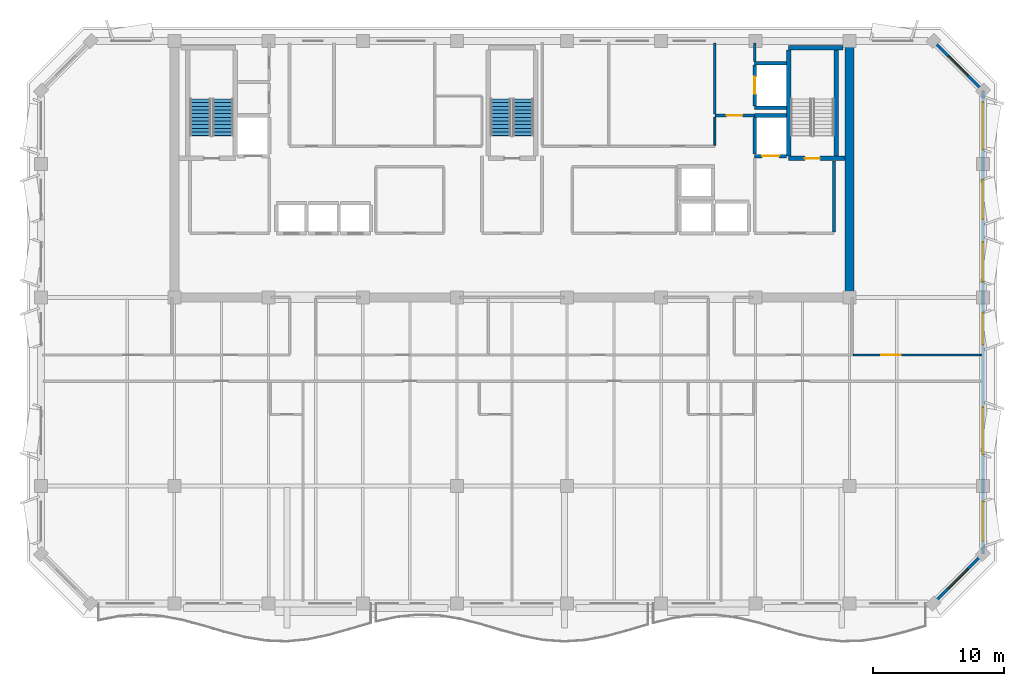
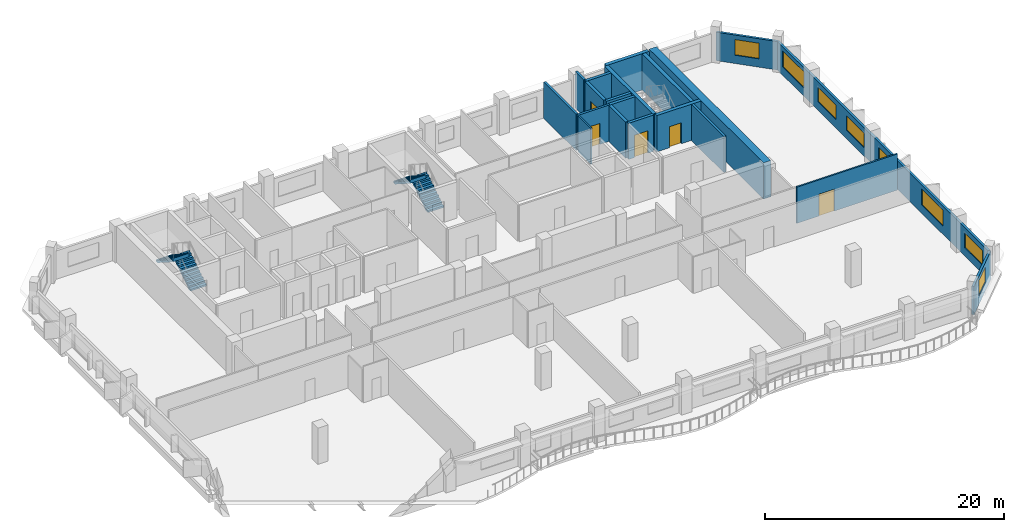
# One storey, part 7 of 11: 20 walls, 8 windows, 5 doors, 4 stair flights, 13 openings, 2 elements without a shape of their own.
"""IFC4 building model written with IfcOpenShell, lengths in metres."""

from ifc_helpers import new_model, si_unit, direction, frame, frame_2d, origin, place, context, subcontext, project, spatial, polyline, rectangle, outline, extrude, material, layer, layer_set, type_object, element, fill, aggregate, save


model = new_model("IFC4")

# Units and contexts
model_context = context("Model", 3, precision=1e-05, world=origin(), true_north=direction((0.0, 1.0)))
body_context = subcontext(model_context, "Body", "Model", "MODEL_VIEW")
ifc_project = project(units=[si_unit("LENGTHUNIT", "METRE"), si_unit("AREAUNIT", "SQUARE_METRE"), si_unit("VOLUMEUNIT", "CUBIC_METRE"), si_unit("PLANEANGLEUNIT", "RADIAN"), si_unit("MASSUNIT", "GRAM", prefix="KILO")], contexts=[model_context])

# Site, building, storey
site_placement = place(None, origin())
site = spatial("IfcSite", under=ifc_project, at=site_placement, CompositionType="ELEMENT")
building_placement = place(site_placement, origin())
building = spatial("IfcBuilding", under=site, at=building_placement, Name="Kaelvorn Grand Hotel", CompositionType="ELEMENT")
storey_placement = place(building_placement, frame((0.0, 0.0, 268.64990234375)))
storey = spatial("IfcBuildingStorey", under=building, at=storey_placement, Name="L66", CompositionType="ELEMENT", Elevation=268.64990234375)

# Wall
ifc_material_1 = material(Name="Concrete C50/60", Category="concrete")
ifc_layer_1 = layer(ifc_material_1, 0.699951171875)
ifc_layer_set_1 = layer_set([ifc_layer_1], Name="Concrete C50/60")
wall_type_1 = type_object("IfcWallType", Name="WL-CORE-700-C50", PredefinedType="SHEAR", material=ifc_layer_set_1)
wall_1_placement = place(storey_placement, frame((67.800048828125, 29.39990234375, 0.0), z_axis=(0.0, 0.0, 1.0), x_axis=(0.0, 1.0, 0.0)))
element("IfcWall", 1, at=wall_1_placement, inside=storey, type_object=wall_type_1, Name="L66 Rear-Core East Shear Wall", PredefinedType="SHEAR", context=body_context, shape_type="SweptSolid", body=[
    extrude(rectangle(XDim=19.2001953125, YDim=0.699951171875, at=frame_2d((9.60009765625, 0.0))), origin(), (0.0, 0.0, 1.0), 3.710205078125),
])

# Wall, opening, window
ifc_material_2 = material(Name="Concrete C40/50", Category="concrete")
ifc_layer_2 = layer(ifc_material_2, 0.219970703125)
ifc_layer_set_2 = layer_set([ifc_layer_2], Name="Concrete C40/50")
wall_type_2 = type_object("IfcWallType", Name="WL-EXT-220-C40", PredefinedType="SOLIDWALL", material=ifc_layer_set_2)
wall_2_placement = place(storey_placement, frame((74.199951171875, 6.0, 0.0), z_axis=(0.0, 0.0, 1.0), x_axis=(0.707106781187, 0.707106781187, 0.0)))
wall_2 = element("IfcWall", 2, at=wall_2_placement, inside=storey, type_object=wall_type_2, Name="L66 Exterior Architectural Concrete Wall 02", PredefinedType="SOLIDWALL", context=body_context, shape_type="SweptSolid", body=[
    extrude(rectangle(XDim=5.3740234375, YDim=0.219970703125, at=frame_2d((2.68701171875, 0.0))), origin(), (0.0, 0.0, 1.0), 2.91015625),
])
opening_1_placement = place(wall_2_placement, frame((1.636962890625, 0.0, 0.85009765625)))
opening_1 = element("IfcOpeningElement", 3, at=opening_1_placement, cuts=wall_2, Name="Opening W7", PredefinedType="OPENING", context=body_context, shape_type="SweptSolid", body=[
    extrude(rectangle(XDim=2.10009765625, YDim=1.60009765625, at=frame_2d((1.050048828125, 0.800048828125))), frame((0.0, 0.1201171875, 0.0), z_axis=(0.0, -1.0, 0.0), x_axis=(1.0, 0.0, 0.0)), (0.0, 0.0, 1.0), 0.239990234375),
])
ifc_material_3 = material(Name="Laminated Low-E Glass", Category="glass")
window_type_1 = type_object("IfcWindowType", Name="WIN-CHM-2100x1600", PartitioningType="SINGLE_PANEL", PredefinedType="WINDOW", material=ifc_material_3)
window_1_placement = place(opening_1_placement, origin())
window_1 = element("IfcWindow", 4, at=window_1_placement, inside=storey, type_object=window_type_1, Name="L66 Chamfered 45-Degree Corner Window SE", OverallHeight=1.60009765625, OverallWidth=2.10009765625, PartitioningType="SINGLE_PANEL", PredefinedType="WINDOW", context=body_context, shape_type="SweptSolid", body=[
    extrude(rectangle(XDim=2.10009765625, YDim=1.60009765625, at=frame_2d((1.050048828125, 0.800048828125))), frame((0.0, 0.030029296875, 0.0), z_axis=(0.0, -1.0, 0.0), x_axis=(1.0, 0.0, 0.0)), (0.0, 0.0, 1.0), 0.06005859375),
])
fill(opening_1, window_1)

# Wall, openings, windows
wall_3_placement = place(storey_placement, frame((78.0, 9.800048828125, 0.0), z_axis=(0.0, 0.0, 1.0), x_axis=(0.0, 1.0, 0.0)))
wall_3 = element("IfcWall", 5, at=wall_3_placement, inside=storey, type_object=wall_type_2, Name="L66 Exterior Architectural Concrete Wall 03", PredefinedType="SOLIDWALL", context=body_context, shape_type="SweptSolid", body=[
    extrude(rectangle(XDim=35.39990234375, YDim=0.219970703125, at=frame_2d((17.699951171875, 0.0))), origin(), (0.0, 0.0, 1.0), 2.91015625),
])
opening_2_placement = place(wall_3_placement, frame((0.985107421875, 0.0, 0.85009765625)))
opening_2 = element("IfcOpeningElement", 6, at=opening_2_placement, cuts=wall_3, Name="Opening W5", PredefinedType="OPENING", context=body_context, shape_type="SweptSolid", body=[
    extrude(rectangle(XDim=3.0, YDim=1.5, at=frame_2d((1.5, 0.75))), frame((0.0, 0.1201171875, 0.0), z_axis=(0.0, -1.0, 0.0), x_axis=(1.0, 0.0, 0.0)), (0.0, 0.0, 1.0), 0.239990234375),
])
opening_3_placement = place(wall_3_placement, frame((7.60009765625, 0.0, 0.85009765625)))
opening_3 = element("IfcOpeningElement", 7, at=opening_3_placement, cuts=wall_3, Name="Opening W3", PredefinedType="OPENING", context=body_context, shape_type="SweptSolid", body=[
    extrude(rectangle(XDim=3.60009765625, YDim=1.64990234375, at=frame_2d((1.800048828125, 0.824951171875))), frame((0.0, 0.1201171875, 0.0), z_axis=(0.0, -1.0, 0.0), x_axis=(1.0, 0.0, 0.0)), (0.0, 0.0, 1.0), 0.239990234375),
])
opening_4_placement = place(wall_3_placement, frame((16.0, 0.0, 0.85009765625)))
opening_4 = element("IfcOpeningElement", 8, at=opening_4_placement, cuts=wall_3, Name="Opening W6", PredefinedType="OPENING", context=body_context, shape_type="SweptSolid", body=[
    extrude(rectangle(XDim=2.39990234375, YDim=1.5, at=frame_2d((1.199951171875, 0.75))), frame((0.0, 0.1201171875, 0.0), z_axis=(0.0, -1.0, 0.0), x_axis=(1.0, 0.0, 0.0)), (0.0, 0.0, 1.0), 0.239990234375),
])
opening_5_placement = place(wall_3_placement, frame((20.81494140625, 0.0, 0.85009765625)))
opening_5 = element("IfcOpeningElement", 9, at=opening_5_placement, cuts=wall_3, Name="Opening W5", PredefinedType="OPENING", context=body_context, shape_type="SweptSolid", body=[
    extrude(rectangle(XDim=3.0, YDim=1.5, at=frame_2d((1.5, 0.75))), frame((0.0, 0.1201171875, 0.0), z_axis=(0.0, -1.0, 0.0), x_axis=(1.0, 0.0, 0.0)), (0.0, 0.0, 1.0), 0.239990234375),
])
opening_6_placement = place(wall_3_placement, frame((25.5849609375, 0.0, 0.85009765625)))
opening_6 = element("IfcOpeningElement", 10, at=opening_6_placement, cuts=wall_3, Name="Opening W5", PredefinedType="OPENING", context=body_context, shape_type="SweptSolid", body=[
    extrude(rectangle(XDim=3.0, YDim=1.5, at=frame_2d((1.5, 0.75))), frame((0.0, 0.1201171875, 0.0), z_axis=(0.0, -1.0, 0.0), x_axis=(1.0, 0.0, 0.0)), (0.0, 0.0, 1.0), 0.239990234375),
])
opening_7_placement = place(wall_3_placement, frame((30.9150390625, 0.0, 0.85009765625)))
opening_7 = element("IfcOpeningElement", 11, at=opening_7_placement, cuts=wall_3, Name="Opening W3", PredefinedType="OPENING", context=body_context, shape_type="SweptSolid", body=[
    extrude(rectangle(XDim=3.60009765625, YDim=1.64990234375, at=frame_2d((1.800048828125, 0.824951171875))), frame((0.0, 0.1201171875, 0.0), z_axis=(0.0, -1.0, 0.0), x_axis=(1.0, 0.0, 0.0)), (0.0, 0.0, 1.0), 0.239990234375),
])
window_type_2 = type_object("IfcWindowType", Name="WIN-NTH-2400x1500", PartitioningType="SINGLE_PANEL", PredefinedType="WINDOW", material=ifc_material_3)
window_2_placement = place(opening_4_placement, origin())
window_2 = element("IfcWindow", 12, at=window_2_placement, inside=storey, type_object=window_type_2, Name="L66 E Wing Tilted-Frame Ribbon Window E03", OverallHeight=1.5, OverallWidth=2.39990234375, PartitioningType="SINGLE_PANEL", PredefinedType="WINDOW", context=body_context, shape_type="SweptSolid", body=[
    extrude(rectangle(XDim=2.39990234375, YDim=1.5, at=frame_2d((1.199951171875, 0.75))), frame((0.0, 0.030029296875, 0.0), z_axis=(0.0, -1.0, 0.0), x_axis=(1.0, 0.0, 0.0)), (0.0, 0.0, 1.0), 0.06005859375),
])
fill(opening_4, window_2)
window_type_3 = type_object("IfcWindowType", Name="WIN-NTH-3000x1500", PartitioningType="SINGLE_PANEL", PredefinedType="WINDOW", material=ifc_material_3)
window_3_placement = place(opening_2_placement, origin())
window_3 = element("IfcWindow", 13, at=window_3_placement, inside=storey, type_object=window_type_3, Name="L66 E Wing Tilted-Frame Ribbon Window E01", OverallHeight=1.5, OverallWidth=3.0, PartitioningType="SINGLE_PANEL", PredefinedType="WINDOW", context=body_context, shape_type="SweptSolid", body=[
    extrude(rectangle(XDim=3.0, YDim=1.5, at=frame_2d((1.5, 0.75))), frame((0.0, 0.030029296875, 0.0), z_axis=(0.0, -1.0, 0.0), x_axis=(1.0, 0.0, 0.0)), (0.0, 0.0, 1.0), 0.06005859375),
])
fill(opening_2, window_3)
window_4_placement = place(opening_5_placement, origin())
window_4 = element("IfcWindow", 14, at=window_4_placement, inside=storey, type_object=window_type_3, Name="L66 E Wing Tilted-Frame Ribbon Window E04", OverallHeight=1.5, OverallWidth=3.0, PartitioningType="SINGLE_PANEL", PredefinedType="WINDOW", context=body_context, shape_type="SweptSolid", body=[
    extrude(rectangle(XDim=3.0, YDim=1.5, at=frame_2d((1.5, 0.75))), frame((0.0, 0.030029296875, 0.0), z_axis=(0.0, -1.0, 0.0), x_axis=(1.0, 0.0, 0.0)), (0.0, 0.0, 1.0), 0.06005859375),
])
fill(opening_5, window_4)
window_5_placement = place(opening_6_placement, origin())
window_5 = element("IfcWindow", 15, at=window_5_placement, inside=storey, type_object=window_type_3, Name="L66 E Wing Tilted-Frame Ribbon Window E05", OverallHeight=1.5, OverallWidth=3.0, PartitioningType="SINGLE_PANEL", PredefinedType="WINDOW", context=body_context, shape_type="SweptSolid", body=[
    extrude(rectangle(XDim=3.0, YDim=1.5, at=frame_2d((1.5, 0.75))), frame((0.0, 0.030029296875, 0.0), z_axis=(0.0, -1.0, 0.0), x_axis=(1.0, 0.0, 0.0)), (0.0, 0.0, 1.0), 0.06005859375),
])
fill(opening_6, window_5)
window_type_4 = type_object("IfcWindowType", Name="WIN-RIB-3600x1750", PartitioningType="SINGLE_PANEL", PredefinedType="WINDOW", material=ifc_material_3)
window_6_placement = place(opening_3_placement, origin())
window_6 = element("IfcWindow", 16, at=window_6_placement, inside=storey, type_object=window_type_4, Name="L66 E Wing Tilted-Frame Ribbon Window E02", OverallHeight=1.64990234375, OverallWidth=3.60009765625, PartitioningType="SINGLE_PANEL", PredefinedType="WINDOW", context=body_context, shape_type="SweptSolid", body=[
    extrude(rectangle(XDim=3.60009765625, YDim=1.64990234375, at=frame_2d((1.800048828125, 0.824951171875))), frame((0.0, 0.030029296875, 0.0), z_axis=(0.0, -1.0, 0.0), x_axis=(1.0, 0.0, 0.0)), (0.0, 0.0, 1.0), 0.06005859375),
])
fill(opening_3, window_6)
window_7_placement = place(opening_7_placement, origin())
window_7 = element("IfcWindow", 17, at=window_7_placement, inside=storey, type_object=window_type_4, Name="L66 E Wing Tilted-Frame Ribbon Window E06", OverallHeight=1.64990234375, OverallWidth=3.60009765625, PartitioningType="SINGLE_PANEL", PredefinedType="WINDOW", context=body_context, shape_type="SweptSolid", body=[
    extrude(rectangle(XDim=3.60009765625, YDim=1.64990234375, at=frame_2d((1.800048828125, 0.824951171875))), frame((0.0, 0.030029296875, 0.0), z_axis=(0.0, -1.0, 0.0), x_axis=(1.0, 0.0, 0.0)), (0.0, 0.0, 1.0), 0.06005859375),
])
fill(opening_7, window_7)

# Wall, opening, window
wall_4_placement = place(storey_placement, frame((78.0, 45.199951171875, 0.0), z_axis=(0.0, 0.0, 1.0), x_axis=(-0.707106781187, 0.707106781187, 0.0)))
wall_4 = element("IfcWall", 18, at=wall_4_placement, inside=storey, type_object=wall_type_2, Name="L66 Exterior Architectural Concrete Wall 04", PredefinedType="SOLIDWALL", context=body_context, shape_type="SweptSolid", body=[
    extrude(rectangle(XDim=5.3740234375, YDim=0.219970703125, at=frame_2d((2.68701171875, 0.0))), origin(), (0.0, 0.0, 1.0), 2.91015625),
])
opening_8_placement = place(wall_4_placement, frame((1.636962890625, 0.0, 0.85009765625)))
opening_8 = element("IfcOpeningElement", 19, at=opening_8_placement, cuts=wall_4, Name="Opening W7", PredefinedType="OPENING", context=body_context, shape_type="SweptSolid", body=[
    extrude(rectangle(XDim=2.10009765625, YDim=1.60009765625, at=frame_2d((1.050048828125, 0.800048828125))), frame((0.0, 0.1201171875, 0.0), z_axis=(0.0, -1.0, 0.0), x_axis=(1.0, 0.0, 0.0)), (0.0, 0.0, 1.0), 0.239990234375),
])
window_8_placement = place(opening_8_placement, origin())
window_8 = element("IfcWindow", 20, at=window_8_placement, inside=storey, type_object=window_type_1, Name="L66 Chamfered 45-Degree Corner Window NE", OverallHeight=1.60009765625, OverallWidth=2.10009765625, PartitioningType="SINGLE_PANEL", PredefinedType="WINDOW", context=body_context, shape_type="SweptSolid", body=[
    extrude(rectangle(XDim=2.10009765625, YDim=1.60009765625, at=frame_2d((1.050048828125, 0.800048828125))), frame((0.0, 0.030029296875, 0.0), z_axis=(0.0, -1.0, 0.0), x_axis=(1.0, 0.0, 0.0)), (0.0, 0.0, 1.0), 0.06005859375),
])
fill(opening_8, window_8)

# Wall
ifc_material_4 = material(Name="Acoustic Gypsum & Stud Partition")
ifc_layer_3 = layer(ifc_material_4, 0.14990234375)
ifc_layer_set_3 = layer_set([ifc_layer_3], Name="Acoustic Gypsum & Stud Partition")
wall_type_3 = type_object("IfcWallType", Name="WL-PART-150-EI60", PredefinedType="PARTITIONING", material=ifc_layer_set_3)
wall_5_placement = place(storey_placement, frame((57.5, 41.030029296875, 0.0), z_axis=(0.0, 0.0, 1.0), x_axis=(0.0, 1.0, 0.0)))
element("IfcWall", 21, at=wall_5_placement, inside=storey, type_object=wall_type_3, Name="L66 Butler Servery Pantry E Partition", PredefinedType="PARTITIONING", context=body_context, shape_type="SweptSolid", body=[
    extrude(rectangle(XDim=2.155029296875, YDim=0.14990234375, at=frame_2d((1.07763671875, 0.0))), origin(), (0.0, 0.0, 1.0), 3.710205078125),
])

# Wall, opening, door
wall_6_placement = place(storey_placement, frame((68.080078125, 25.0, 0.0), z_axis=(0.0, 0.0, 1.0), x_axis=(1.0, 0.0, 0.0)))
wall_6 = element("IfcWall", 22, at=wall_6_placement, inside=storey, type_object=wall_type_3, Name="L66 East Sky Wellness Spa Salon S Partition", PredefinedType="PARTITIONING", context=body_context, shape_type="SweptSolid", body=[
    extrude(rectangle(XDim=9.77001953125, YDim=0.14990234375, at=frame_2d((4.885009765625, 0.0))), origin(), (0.0, 0.0, 1.0), 3.710205078125),
])
opening_9_placement = place(wall_6_placement, frame((2.139892578125, 0.0, 0.0)))
opening_9 = element("IfcOpeningElement", 23, at=opening_9_placement, cuts=wall_6, Name="Opening DI5", PredefinedType="OPENING", context=body_context, shape_type="SweptSolid", body=[
    extrude(rectangle(XDim=1.5, YDim=2.25, at=frame_2d((0.75, 1.125))), frame((0.0, 0.0849609375, 0.0), z_axis=(0.0, -1.0, 0.0), x_axis=(1.0, 0.0, 0.0)), (0.0, 0.0, 1.0), 0.169921875),
])
ifc_material_5 = material(Name="Timber Veneer Fire Leaf", Category="wood")
door_type_1 = type_object("IfcDoorType", Name="DR-INT-SALON-1500x2250", OperationType="DOUBLE_DOOR_SINGLE_SWING", PredefinedType="DOOR", material=ifc_material_5)
door_1_placement = place(opening_9_placement, origin())
door_1 = element("IfcDoor", 24, at=door_1_placement, inside=storey, type_object=door_type_1, Name="L66 East Sky Wellness Spa Salon Door", OperationType="DOUBLE_DOOR_SINGLE_SWING", OverallHeight=2.25, OverallWidth=1.5, PredefinedType="DOOR", context=body_context, shape_type="SweptSolid", body=[
    extrude(rectangle(XDim=1.5, YDim=2.25, at=frame_2d((0.75, 1.125))), frame((0.0, 0.02490234375, 0.0), z_axis=(0.0, -1.0, 0.0), x_axis=(1.0, 0.0, 0.0)), (0.0, 0.0, 1.0), 0.050048828125),
])
fill(opening_9, door_1)

# Wall
ifc_layer_4 = layer(ifc_material_2, 0.219970703125)
ifc_layer_set_4 = layer_set([ifc_layer_4], Name="Concrete C40/50")
wall_type_4 = type_object("IfcWallType", Name="WL-PART-220-EI120", PredefinedType="PARTITIONING", material=ifc_layer_set_4)
wall_7_placement = place(storey_placement, frame((66.60009765625, 34.4150390625, 0.0), z_axis=(0.0, 0.0, 1.0), x_axis=(0.0, 1.0, 0.0)))
element("IfcWall", 25, at=wall_7_placement, inside=storey, type_object=wall_type_4, Name="L66 Firefighting Lift Lobby 2 E Partition", PredefinedType="PARTITIONING", context=body_context, shape_type="SweptSolid", body=[
    extrude(rectangle(XDim=5.429931640625, YDim=0.219970703125, at=frame_2d((2.71484375, 0.0))), origin(), (0.0, 0.0, 1.0), 3.710205078125),
])

# Wall, opening, door
wall_8_placement = place(storey_placement, frame((57.5, 43.300048828125, 0.0), z_axis=(0.0, 0.0, 1.0), x_axis=(1.0, 0.0, 0.0)))
wall_8 = element("IfcWall", 26, at=wall_8_placement, inside=storey, type_object=wall_type_4, Name="L66 Service Lift Lobby S Partition", PredefinedType="PARTITIONING", context=body_context, shape_type="SweptSolid", body=[
    extrude(rectangle(XDim=3.0400390625, YDim=0.219970703125, at=frame_2d((1.52001953125, 0.0))), origin(), (0.0, 0.0, 1.0), 3.710205078125),
])
opening_10_placement = place(wall_8_placement, frame((0.89990234375, 0.0, 0.0)))
opening_10 = element("IfcOpeningElement", 27, at=opening_10_placement, cuts=wall_8, Name="Opening DI2", PredefinedType="OPENING", context=body_context, shape_type="SweptSolid", body=[
    extrude(rectangle(XDim=1.199951171875, YDim=2.14990234375, at=frame_2d((0.60009765625, 1.074951171875))), frame((0.0, 0.1201171875, 0.0), z_axis=(0.0, -1.0, 0.0), x_axis=(1.0, 0.0, 0.0)), (0.0, 0.0, 1.0), 0.239990234375),
])
door_type_2 = type_object("IfcDoorType", Name="DR-INT-FFLOB-1200x2150", OperationType="NOTDEFINED", PredefinedType="DOOR", material=ifc_material_5)
door_2_placement = place(opening_10_placement, origin())
door_2 = element("IfcDoor", 28, at=door_2_placement, inside=storey, type_object=door_type_2, Name="L66 Service Lift Lobby Door", OperationType="SINGLE_SWING_RIGHT", OverallHeight=2.14990234375, OverallWidth=1.199951171875, PredefinedType="DOOR", context=body_context, shape_type="SweptSolid", body=[
    extrude(rectangle(XDim=1.199951171875, YDim=2.14990234375, at=frame_2d((0.60009765625, 1.074951171875))), frame((0.0, 0.02490234375, 0.0), z_axis=(0.0, -1.0, 0.0), x_axis=(1.0, 0.0, 0.0)), (0.0, 0.0, 1.0), 0.050048828125),
])
fill(opening_10, door_2)

# Walls
wall_9_placement = place(storey_placement, frame((57.5, 43.4150390625, 0.0), z_axis=(0.0, 0.0, 1.0), x_axis=(0.0, 1.0, 0.0)))
element("IfcWall", 29, at=wall_9_placement, inside=storey, type_object=wall_type_4, Name="L66 Service Lift Lobby W Partition", PredefinedType="PARTITIONING", context=body_context, shape_type="SweptSolid", body=[
    extrude(rectangle(XDim=5.43505859375, YDim=0.219970703125, at=frame_2d((2.717529296875, 0.0))), origin(), (0.0, 0.0, 1.0), 3.710205078125),
])
wall_10_placement = place(storey_placement, frame((60.550048828125, 47.445068359375, 0.0), z_axis=(0.0, 0.0, 1.0), x_axis=(0.0, 1.0, 0.0)))
element("IfcWall", 30, at=wall_10_placement, inside=storey, type_object=wall_type_4, Name="L66 Service Lift Lobby E Partition", PredefinedType="PARTITIONING", context=body_context, shape_type="SweptSolid", body=[
    extrude(rectangle(XDim=1.405029296875, YDim=0.219970703125, at=frame_2d((0.70263671875, 0.0))), origin(), (0.0, 0.0, 1.0), 3.710205078125),
])

# Wall, opening, door
ifc_layer_5 = layer(ifc_material_1, 0.280029296875)
ifc_layer_set_5 = layer_set([ifc_layer_5], Name="Concrete C50/60")
wall_type_5 = type_object("IfcWallType", Name="WL-SHAFT-280-C50", PredefinedType="SHEAR", material=ifc_layer_set_5)
wall_11_placement = place(storey_placement, frame((60.550048828125, 40.199951171875, 0.0), z_axis=(0.0, 0.0, 1.0), x_axis=(1.0, 0.0, 0.0)))
wall_11 = element("IfcWall", 31, at=wall_11_placement, inside=storey, type_object=wall_type_5, Name="L66 Lift FFL2 Shaft South Wall", PredefinedType="SHEAR", context=body_context, shape_type="SweptSolid", body=[
    extrude(rectangle(XDim=2.4150390625, YDim=0.280029296875, at=frame_2d((1.20751953125, 0.0))), origin(), (0.0, 0.0, 1.0), 3.710205078125),
])
opening_11_placement = place(wall_11_placement, frame((0.574951171875, 0.0, 0.0)))
opening_11 = element("IfcOpeningElement", 32, at=opening_11_placement, cuts=wall_11, Name="Opening LD-FFL2", PredefinedType="OPENING", context=body_context, shape_type="SweptSolid", body=[
    extrude(rectangle(XDim=1.300048828125, YDim=2.300048828125, at=frame_2d((0.64990234375, 1.14990234375))), frame((0.0, 0.14990234375, 0.0), z_axis=(0.0, -1.0, 0.0), x_axis=(1.0, 0.0, 0.0)), (0.0, 0.0, 1.0), 0.300048828125),
])
ifc_material_6 = material(Name="Stainless Steel", Category="steel")
door_type_3 = type_object("IfcDoorType", Name="DR-LIFT-SERV-1300x2300", OperationType="DOUBLE_DOOR_SLIDING", PredefinedType="DOOR", material=ifc_material_6)
door_3_placement = place(opening_11_placement, origin())
door_3 = element("IfcDoor", 33, at=door_3_placement, inside=storey, type_object=door_type_3, Name="L66 Lift FFL2 Sliding Landing Door LD-FFL2", OperationType="DOUBLE_DOOR_SLIDING", OverallHeight=2.300048828125, OverallWidth=1.300048828125, PredefinedType="DOOR", context=body_context, shape_type="SweptSolid", body=[
    extrude(rectangle(XDim=1.300048828125, YDim=2.300048828125, at=frame_2d((0.64990234375, 1.14990234375))), frame((0.0, 0.02490234375, 0.0), z_axis=(0.0, -1.0, 0.0), x_axis=(1.0, 0.0, 0.0)), (0.0, 0.0, 1.0), 0.050048828125),
])
fill(opening_11, door_3)

# Walls
wall_12_placement = place(storey_placement, frame((60.550048828125, 43.300048828125, 0.0), z_axis=(0.0, 0.0, 1.0), x_axis=(1.0, 0.0, 0.0)))
element("IfcWall", 34, at=wall_12_placement, inside=storey, type_object=wall_type_5, Name="L66 Lift FFL2 Shaft North Wall", PredefinedType="SHEAR", context=body_context, shape_type="SweptSolid", body=[
    extrude(rectangle(XDim=2.4150390625, YDim=0.280029296875, at=frame_2d((1.20751953125, 0.0))), origin(), (0.0, 0.0, 1.0), 3.710205078125),
])
wall_13_placement = place(storey_placement, frame((60.550048828125, 40.344970703125, 0.0), z_axis=(0.0, 0.0, 1.0), x_axis=(0.0, 1.0, 0.0)))
element("IfcWall", 35, at=wall_13_placement, inside=storey, type_object=wall_type_5, Name="L66 Lift FFL2 Shaft West Wall", PredefinedType="SHEAR", context=body_context, shape_type="SweptSolid", body=[
    extrude(rectangle(XDim=2.81005859375, YDim=0.280029296875, at=frame_2d((1.405029296875, 0.0))), origin(), (0.0, 0.0, 1.0), 3.710205078125),
])
for number, where, z_axis, x_axis, name in (
    (36, (60.550048828125, 43.89990234375, 0.0), (0.0, 0.0, 1.0), (1.0, 0.0, 0.0), "L66 Lift SV1 Shaft South Wall"),
    (37, (60.550048828125, 47.300048828125, 0.0), (0.0, 0.0, 1.0), (1.0, 0.0, 0.0), "L66 Lift SV1 Shaft North Wall"),
):
    element("IfcWall", number, at=place(storey_placement, frame(where, z_axis=z_axis, x_axis=x_axis)), inside=storey, type_object=wall_type_5, Name=name, PredefinedType="SHEAR", context=body_context, shape_type="SweptSolid", body=[
        extrude(rectangle(XDim=2.4150390625, YDim=0.280029296875, at=frame_2d((1.20751953125, 0.0))), origin(), (0.0, 0.0, 1.0), 3.710205078125),
    ])

# Wall, opening, door
wall_14_placement = place(storey_placement, frame((60.550048828125, 44.044921875, 0.0), z_axis=(0.0, 0.0, 1.0), x_axis=(0.0, 1.0, 0.0)))
wall_14 = element("IfcWall", 38, at=wall_14_placement, inside=storey, type_object=wall_type_5, Name="L66 Lift SV1 Shaft West Wall", PredefinedType="SHEAR", context=body_context, shape_type="SweptSolid", body=[
    extrude(rectangle(XDim=3.110107421875, YDim=0.280029296875, at=frame_2d((1.55517578125, 0.0))), origin(), (0.0, 0.0, 1.0), 3.710205078125),
])
opening_12_placement = place(wall_14_placement, frame((0.905029296875, 0.0, 0.0)))
opening_12 = element("IfcOpeningElement", 39, at=opening_12_placement, cuts=wall_14, Name="Opening LD-SV1", PredefinedType="OPENING", context=body_context, shape_type="SweptSolid", body=[
    extrude(rectangle(XDim=1.300048828125, YDim=2.300048828125, at=frame_2d((0.64990234375, 1.14990234375))), frame((0.0, 0.14990234375, 0.0), z_axis=(0.0, -1.0, 0.0), x_axis=(1.0, 0.0, 0.0)), (0.0, 0.0, 1.0), 0.300048828125),
])
door_4_placement = place(opening_12_placement, origin())
door_4 = element("IfcDoor", 40, at=door_4_placement, inside=storey, type_object=door_type_3, Name="L66 Lift SV1 Sliding Landing Door LD-SV1", OperationType="DOUBLE_DOOR_SLIDING", OverallHeight=2.300048828125, OverallWidth=1.300048828125, PredefinedType="DOOR", context=body_context, shape_type="SweptSolid", body=[
    extrude(rectangle(XDim=1.300048828125, YDim=2.300048828125, at=frame_2d((0.64990234375, 1.14990234375))), frame((0.0, 0.02490234375, 0.0), z_axis=(0.0, -1.0, 0.0), x_axis=(1.0, 0.0, 0.0)), (0.0, 0.0, 1.0), 0.050048828125),
])
fill(opening_12, door_4)

ifc_material_7 = material(Name="Concrete C60/75", Category="concrete")
ifc_layer_6 = layer(ifc_material_7, 0.35009765625)
ifc_layer_set_6 = layer_set([ifc_layer_6], Name="Concrete C60/75")
wall_type_6 = type_object("IfcWallType", Name="WL-SHAFT-350-C60", PredefinedType="SHEAR", material=ifc_layer_set_6)
wall_15_placement = place(storey_placement, frame((63.14501953125, 40.02490234375, 0.0), z_axis=(0.0, 0.0, 1.0), x_axis=(1.0, 0.0, 0.0)))
wall_15 = element("IfcWall", 41, at=wall_15_placement, inside=storey, type_object=wall_type_6, Name="L66 ST3 Stair Shaft South Wall", PredefinedType="SHEAR", context=body_context, shape_type="SweptSolid", body=[
    extrude(rectangle(XDim=4.300048828125, YDim=0.35009765625, at=frame_2d((2.14990234375, 0.0))), origin(), (0.0, 0.0, 1.0), 3.710205078125),
])
opening_13_placement = place(wall_15_placement, frame((1.239990234375, 0.0, 0.0)))
opening_13 = element("IfcOpeningElement", 42, at=opening_13_placement, cuts=wall_15, Name="Opening DI1", PredefinedType="OPENING", context=body_context, shape_type="SweptSolid", body=[
    extrude(rectangle(XDim=1.14990234375, YDim=2.14990234375, at=frame_2d((0.574951171875, 1.074951171875))), frame((0.0, 0.18505859375, 0.0), z_axis=(0.0, -1.0, 0.0), x_axis=(1.0, 0.0, 0.0)), (0.0, 0.0, 1.0), 0.3701171875),
])
door_type_4 = type_object("IfcDoorType", Name="DR-INT-STAIR-1150x2150", OperationType="NOTDEFINED", PredefinedType="DOOR", material=ifc_material_5)
door_5_placement = place(opening_13_placement, origin())
door_5 = element("IfcDoor", 43, at=door_5_placement, inside=storey, type_object=door_type_4, Name="L66 ST3 Exit Stair Fire Door", OperationType="SINGLE_SWING_RIGHT", OverallHeight=2.14990234375, OverallWidth=1.14990234375, PredefinedType="DOOR", context=body_context, shape_type="SweptSolid", body=[
    extrude(rectangle(XDim=1.14990234375, YDim=2.14990234375, at=frame_2d((0.574951171875, 1.074951171875))), frame((0.0, 0.02490234375, 0.0), z_axis=(0.0, -1.0, 0.0), x_axis=(1.0, 0.0, 0.0)), (0.0, 0.0, 1.0), 0.050048828125),
])
fill(opening_13, door_5)

# Walls
wall_16_placement = place(storey_placement, frame((63.14501953125, 48.47509765625, 0.0), z_axis=(0.0, 0.0, 1.0), x_axis=(1.0, 0.0, 0.0)))
element("IfcWall", 44, at=wall_16_placement, inside=storey, type_object=wall_type_6, Name="L66 ST3 Stair Shaft North Wall", PredefinedType="SHEAR", context=body_context, shape_type="SweptSolid", body=[
    extrude(rectangle(XDim=4.14990234375, YDim=0.35009765625, at=frame_2d((2.074951171875, 0.0))), origin(), (0.0, 0.0, 1.0), 3.710205078125),
])
for number, where, z_axis, x_axis, name in (
    (45, (63.14501953125, 40.205078125, 0.0), (0.0, 0.0, 1.0), (0.0, 1.0, 0.0), "L66 ST3 Stair Shaft West Wall"),
    (46, (66.77490234375, 40.205078125, 0.0), (0.0, 0.0, 1.0), (0.0, 1.0, 0.0), "L66 ST3 Stair Shaft East Wall"),
):
    element("IfcWall", number, at=place(storey_placement, frame(where, z_axis=z_axis, x_axis=x_axis)), inside=storey, type_object=wall_type_6, Name=name, PredefinedType="SHEAR", context=body_context, shape_type="SweptSolid", body=[
        extrude(rectangle(XDim=8.08984375, YDim=0.35009765625, at=frame_2d((4.044921875, 0.0))), origin(), (0.0, 0.0, 1.0), 3.710205078125),
    ])

# Stair, stair flights
stair_type = type_object("IfcStairType", Name="STR-DOG-1560-R09", PredefinedType="HALF_TURN_STAIR", material=ifc_material_2)
stair_1_placement = place(storey_placement, origin())
stair_1 = element("IfcStair", 47, at=stair_1_placement, inside=storey, type_object=stair_type, Name="L66 West Core Exit Stair ST1", PredefinedType="HALF_TURN_STAIR")
stair_flight_type = type_object("IfcStairFlightType", Name="FLG-DOG-1560-R09", PredefinedType="STRAIGHT", material=ifc_material_2)
stair_flight_1_placement = place(storey_placement, frame((19.89990234375, 41.760009765625, 0.0), z_axis=(0.0, 0.0, 1.0), x_axis=(0.0, 1.0, 0.0)))
stair_flight_1 = element("IfcStairFlight", 48, at=stair_flight_1_placement, type_object=stair_flight_type, Name="ST1 flight 1", NumberOfRisers=11, NumberOfTreads=10, PredefinedType="STRAIGHT", RiserHeight=0.179545455, TreadLength=0.28, context=body_context, shape_type="SweptSolid", body=[
    extrude(outline(polyline([(-0.0048828125, 0.0), (-0.0048828125, 0.0400390625), (0.0, 0.179443359375), (0.280029296875, 0.179443359375), (0.280029296875, 0.359130859375), (0.56005859375, 0.359130859375), (0.56005859375, 0.53857421875), (0.840087890625, 0.53857421875), (0.840087890625, 0.71826171875), (1.1201171875, 0.71826171875), (1.1201171875, 0.897705078125), (1.39990234375, 0.897705078125), (1.39990234375, 1.077392578125), (1.679931640625, 1.077392578125), (1.679931640625, 1.2568359375), (1.9599609375, 1.2568359375), (1.9599609375, 1.436279296875), (2.239990234375, 1.436279296875), (2.239990234375, 1.615966796875), (2.52001953125, 1.615966796875), (2.52001953125, 1.79541015625), (2.800048828125, 1.79541015625), (2.800048828125, 1.97509765625), (2.804931640625, 1.97509765625), (2.804931640625, 1.617431640625), (0.277587890625, 0.0), (-0.0048828125, 0.0)])), frame((0.0, 0.780029296875, 0.0), z_axis=(0.0, -1.0, 0.0), x_axis=(1.0, 0.0, 0.0)), (0.0, 0.0, 1.0), 1.56005859375),
])
stair_flight_2_placement = place(storey_placement, frame((18.179931640625, 44.56005859375, 1.97509765625), z_axis=(0.0, 0.0, 1.0), x_axis=(0.0, -1.0, 0.0)))
stair_flight_2 = element("IfcStairFlight", 49, at=stair_flight_2_placement, type_object=stair_flight_type, Name="ST1 flight 2", NumberOfRisers=11, NumberOfTreads=10, PredefinedType="STRAIGHT", RiserHeight=0.179545455, TreadLength=0.28, context=body_context, shape_type="SweptSolid", body=[
    extrude(outline(polyline([(-0.0048828125, 0.0), (-0.0048828125, 0.0400390625), (0.0, 0.179443359375), (0.280029296875, 0.179443359375), (0.280029296875, 0.359130859375), (0.56005859375, 0.359130859375), (0.56005859375, 0.53857421875), (0.840087890625, 0.53857421875), (0.840087890625, 0.71826171875), (1.1201171875, 0.71826171875), (1.1201171875, 0.897705078125), (1.39990234375, 0.897705078125), (1.39990234375, 1.077392578125), (1.679931640625, 1.077392578125), (1.679931640625, 1.2568359375), (1.9599609375, 1.2568359375), (1.9599609375, 1.436279296875), (2.239990234375, 1.436279296875), (2.239990234375, 1.615966796875), (2.52001953125, 1.615966796875), (2.52001953125, 1.79541015625), (2.800048828125, 1.79541015625), (2.800048828125, 1.97509765625), (2.804931640625, 1.97509765625), (2.804931640625, 1.617431640625), (0.277587890625, 0.0), (-0.0048828125, 0.0)])), frame((0.0, 0.780029296875, 0.0), z_axis=(0.0, -1.0, 0.0), x_axis=(1.0, 0.0, 0.0)), (0.0, 0.0, 1.0), 1.56005859375),
])
aggregate(stair_1, [stair_flight_1, stair_flight_2])

stair_2_placement = place(storey_placement, origin())
stair_2 = element("IfcStair", 50, at=stair_2_placement, inside=storey, type_object=stair_type, Name="L66 Central Core Exit Stair ST2", PredefinedType="HALF_TURN_STAIR")
stair_flight_3_placement = place(storey_placement, frame((42.860107421875, 41.760009765625, 0.0), z_axis=(0.0, 0.0, 1.0), x_axis=(0.0, 1.0, 0.0)))
stair_flight_3 = element("IfcStairFlight", 51, at=stair_flight_3_placement, type_object=stair_flight_type, Name="ST2 flight 1", NumberOfRisers=11, NumberOfTreads=10, PredefinedType="STRAIGHT", RiserHeight=0.179545455, TreadLength=0.28, context=body_context, shape_type="SweptSolid", body=[
    extrude(outline(polyline([(-0.0048828125, 0.0), (-0.0048828125, 0.0400390625), (0.0, 0.179443359375), (0.280029296875, 0.179443359375), (0.280029296875, 0.359130859375), (0.56005859375, 0.359130859375), (0.56005859375, 0.53857421875), (0.840087890625, 0.53857421875), (0.840087890625, 0.71826171875), (1.1201171875, 0.71826171875), (1.1201171875, 0.897705078125), (1.39990234375, 0.897705078125), (1.39990234375, 1.077392578125), (1.679931640625, 1.077392578125), (1.679931640625, 1.2568359375), (1.9599609375, 1.2568359375), (1.9599609375, 1.436279296875), (2.239990234375, 1.436279296875), (2.239990234375, 1.615966796875), (2.52001953125, 1.615966796875), (2.52001953125, 1.79541015625), (2.800048828125, 1.79541015625), (2.800048828125, 1.97509765625), (2.804931640625, 1.97509765625), (2.804931640625, 1.617431640625), (0.277587890625, 0.0), (-0.0048828125, 0.0)])), frame((0.0, 0.780029296875, 0.0), z_axis=(0.0, -1.0, 0.0), x_axis=(1.0, 0.0, 0.0)), (0.0, 0.0, 1.0), 1.56005859375),
])
stair_flight_4_placement = place(storey_placement, frame((41.139892578125, 44.56005859375, 1.97509765625), z_axis=(0.0, 0.0, 1.0), x_axis=(0.0, -1.0, 0.0)))
stair_flight_4 = element("IfcStairFlight", 52, at=stair_flight_4_placement, type_object=stair_flight_type, Name="ST2 flight 2", NumberOfRisers=11, NumberOfTreads=10, PredefinedType="STRAIGHT", RiserHeight=0.179545455, TreadLength=0.28, context=body_context, shape_type="SweptSolid", body=[
    extrude(outline(polyline([(-0.0048828125, 0.0), (-0.0048828125, 0.0400390625), (0.0, 0.179443359375), (0.280029296875, 0.179443359375), (0.280029296875, 0.359130859375), (0.56005859375, 0.359130859375), (0.56005859375, 0.53857421875), (0.840087890625, 0.53857421875), (0.840087890625, 0.71826171875), (1.1201171875, 0.71826171875), (1.1201171875, 0.897705078125), (1.39990234375, 0.897705078125), (1.39990234375, 1.077392578125), (1.679931640625, 1.077392578125), (1.679931640625, 1.2568359375), (1.9599609375, 1.2568359375), (1.9599609375, 1.436279296875), (2.239990234375, 1.436279296875), (2.239990234375, 1.615966796875), (2.52001953125, 1.615966796875), (2.52001953125, 1.79541015625), (2.800048828125, 1.79541015625), (2.800048828125, 1.97509765625), (2.804931640625, 1.97509765625), (2.804931640625, 1.617431640625), (0.277587890625, 0.0), (-0.0048828125, 0.0)])), frame((0.0, 0.780029296875, 0.0), z_axis=(0.0, -1.0, 0.0), x_axis=(1.0, 0.0, 0.0)), (0.0, 0.0, 1.0), 1.56005859375),
])
aggregate(stair_2, [stair_flight_3, stair_flight_4])

save(model, "model.ifc")
